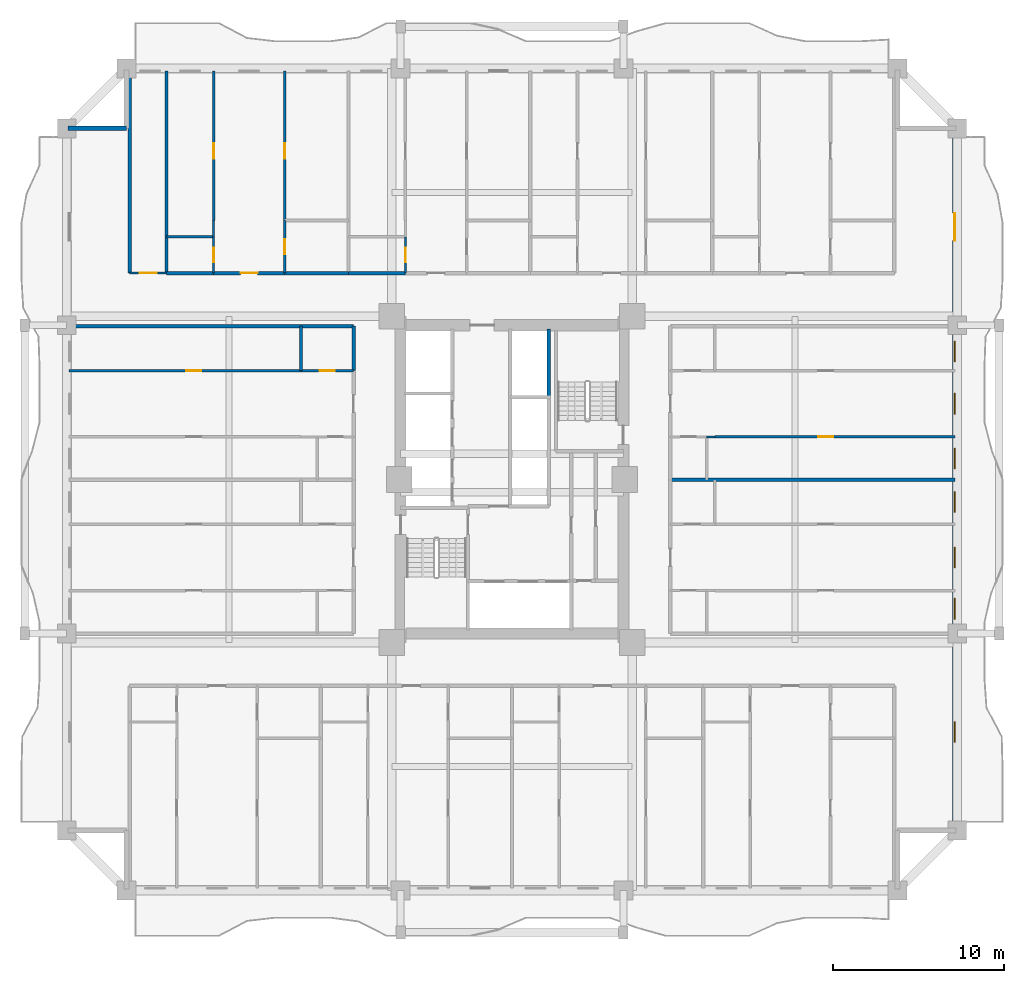
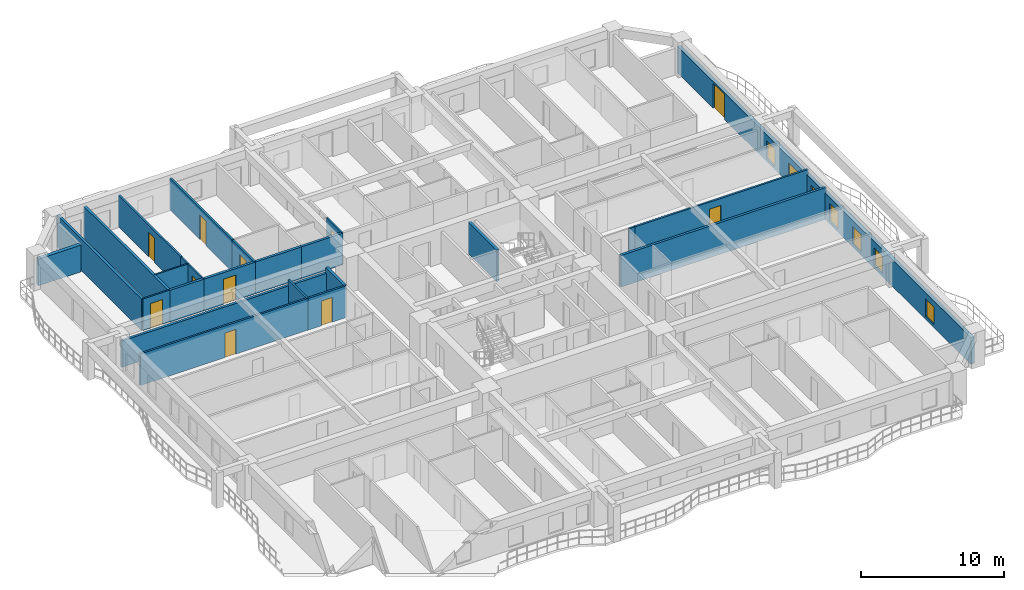
# One storey, part 6 of 15: 25 walls, 11 doors, 7 windows, 18 openings.
"""IFC4 building model written with IfcOpenShell, lengths in metres."""

from ifc_helpers import new_model, si_unit, direction, frame, frame_2d, origin, place, context, subcontext, project, spatial, rectangle, extrude, source, transform, mapped, material, layer, layer_set, type_object, element, fill, save


model = new_model("IFC4")

# Units and contexts
model_context = context("Model", 3, precision=1e-05, world=origin(), true_north=direction((0.0, 1.0)))
body_context = subcontext(model_context, "Body", "Model", "MODEL_VIEW")
ifc_project = project(units=[si_unit("LENGTHUNIT", "METRE"), si_unit("AREAUNIT", "SQUARE_METRE"), si_unit("VOLUMEUNIT", "CUBIC_METRE"), si_unit("PLANEANGLEUNIT", "RADIAN"), si_unit("MASSUNIT", "GRAM", prefix="KILO")], contexts=[model_context])

# Site, building, storey
site_placement = place(None, origin())
site = spatial("IfcSite", under=ifc_project, at=site_placement, CompositionType="ELEMENT")
building_placement = place(site_placement, origin())
building = spatial("IfcBuilding", under=site, at=building_placement, Name="Saelheon Loggia Tower", CompositionType="ELEMENT")
storey_placement = place(building_placement, frame((0.0, 0.0, 67.39990234375)))
storey = spatial("IfcBuildingStorey", under=building, at=storey_placement, Name="L21", CompositionType="ELEMENT", Elevation=67.39990234375)

# Wall, openings, windows, door
ifc_material_1 = material(Name="Architectural Precast Concrete C40/50", Category="concrete")
ifc_layer_1 = layer(ifc_material_1, 0.280029296875)
ifc_layer_set_1 = layer_set([ifc_layer_1], Name="Architectural Precast Concrete C40/50")
wall_type_1 = type_object("IfcWallType", Name="Wall_Ext_Loggia_280", PredefinedType="SOLIDWALL", material=ifc_layer_set_1)
wall_1_placement = place(storey_placement, frame((63.860107421875, 6.5, 0.0), z_axis=(0.0, 0.0, 1.0), x_axis=(0.0, 1.0, 0.0)))
wall_1 = element("IfcWall", 1, at=wall_1_placement, inside=storey, type_object=wall_type_1, Name="L21 East Loggia Inner Wall", PredefinedType="SOLIDWALL", context=body_context, shape_type="SweptSolid", body=[
    extrude(rectangle(XDim=41.0, YDim=0.280029296875, at=frame_2d((20.5, 0.0))), origin(), (0.0, 0.0, 1.0), 2.280029296875),
])
opening_1_placement = place(wall_1_placement, frame((5.14990234375, 0.0, 0.25)))
opening_1 = element("IfcOpeningElement", 2, at=opening_1_placement, cuts=wall_1, Name="Opening WN-03", PredefinedType="OPENING", context=body_context, shape_type="SweptSolid", body=[
    extrude(rectangle(XDim=1.199951171875, YDim=1.5, at=frame_2d((0.60009765625, 0.75))), frame((0.0, 0.152099609375, 0.0), z_axis=(0.0, -1.0, 0.0), x_axis=(1.0, 0.0, 0.0)), (0.0, 0.0, 1.0), 0.303955078125),
])
opening_2_placement = place(wall_1_placement, frame((12.3515625, 0.0, 0.25)))
opening_2 = element("IfcOpeningElement", 3, at=opening_2_placement, cuts=wall_1, Name="Opening WN-03", PredefinedType="OPENING", context=body_context, shape_type="SweptSolid", body=[
    extrude(rectangle(XDim=1.199951171875, YDim=1.5, at=frame_2d((0.60009765625, 0.75))), frame((0.0, 0.152099609375, 0.0), z_axis=(0.0, -1.0, 0.0), x_axis=(1.0, 0.0, 0.0)), (0.0, 0.0, 1.0), 0.303955078125),
])
opening_3_placement = place(wall_1_placement, frame((15.343994140625, 0.0, 0.25)))
opening_3 = element("IfcOpeningElement", 4, at=opening_3_placement, cuts=wall_1, Name="Opening WN-03", PredefinedType="OPENING", context=body_context, shape_type="SweptSolid", body=[
    extrude(rectangle(XDim=1.199951171875, YDim=1.5, at=frame_2d((0.60009765625, 0.75))), frame((0.0, 0.152099609375, 0.0), z_axis=(0.0, -1.0, 0.0), x_axis=(1.0, 0.0, 0.0)), (0.0, 0.0, 1.0), 0.303955078125),
])
opening_4_placement = place(wall_1_placement, frame((18.574951171875, 0.0, 0.25)))
opening_4 = element("IfcOpeningElement", 5, at=opening_4_placement, cuts=wall_1, Name="Opening WN-03", PredefinedType="OPENING", context=body_context, shape_type="SweptSolid", body=[
    extrude(rectangle(XDim=1.199951171875, YDim=1.5, at=frame_2d((0.60009765625, 0.75))), frame((0.0, 0.152099609375, 0.0), z_axis=(0.0, -1.0, 0.0), x_axis=(1.0, 0.0, 0.0)), (0.0, 0.0, 1.0), 0.303955078125),
])
opening_5_placement = place(wall_1_placement, frame((21.131591796875, 0.0, 0.25)))
opening_5 = element("IfcOpeningElement", 6, at=opening_5_placement, cuts=wall_1, Name="Opening WN-03", PredefinedType="OPENING", context=body_context, shape_type="SweptSolid", body=[
    extrude(rectangle(XDim=1.199951171875, YDim=1.5, at=frame_2d((0.60009765625, 0.75))), frame((0.0, 0.152099609375, 0.0), z_axis=(0.0, -1.0, 0.0), x_axis=(1.0, 0.0, 0.0)), (0.0, 0.0, 1.0), 0.303955078125),
])
opening_6_placement = place(wall_1_placement, frame((24.319091796875, 0.0, 0.25)))
opening_6 = element("IfcOpeningElement", 7, at=opening_6_placement, cuts=wall_1, Name="Opening WN-03", PredefinedType="OPENING", context=body_context, shape_type="SweptSolid", body=[
    extrude(rectangle(XDim=1.199951171875, YDim=1.5, at=frame_2d((0.60009765625, 0.75))), frame((0.0, 0.152099609375, 0.0), z_axis=(0.0, -1.0, 0.0), x_axis=(1.0, 0.0, 0.0)), (0.0, 0.0, 1.0), 0.303955078125),
])
opening_7_placement = place(wall_1_placement, frame((27.3798828125, 0.0, 0.25)))
opening_7 = element("IfcOpeningElement", 8, at=opening_7_placement, cuts=wall_1, Name="Opening WN-03", PredefinedType="OPENING", context=body_context, shape_type="SweptSolid", body=[
    extrude(rectangle(XDim=1.199951171875, YDim=1.5, at=frame_2d((0.60009765625, 0.75))), frame((0.0, 0.152099609375, 0.0), z_axis=(0.0, -1.0, 0.0), x_axis=(1.0, 0.0, 0.0)), (0.0, 0.0, 1.0), 0.303955078125),
])
opening_8_placement = place(wall_1_placement, frame((36.050048828125, 0.0, 0.0), z_axis=(0.0, 0.0, 1.0), x_axis=(-1.0, 0.0, 0.0)))
opening_8 = element("IfcOpeningElement", 9, at=opening_8_placement, cuts=wall_1, Name="Opening DLG-1", PredefinedType="OPENING", context=body_context, shape_type="SweptSolid", body=[
    extrude(rectangle(XDim=1.60009765625, YDim=2.14990234375, at=frame_2d((0.800048828125, 1.074951171875))), frame((0.0, 0.152099609375, 0.0), z_axis=(0.0, -1.0, 0.0), x_axis=(1.0, 0.0, 0.0)), (0.0, 0.0, 1.0), 0.303955078125),
])
ifc_material_2 = material(Name="Thermal-Break Aluminium and Triple Low-E Glass", Category="aluminium")
window_type = type_object("IfcWindowType", Name="Win_Bedroom_1200x1500", PartitioningType="SINGLE_PANEL", PredefinedType="WINDOW", material=ifc_material_2)
shared_shape_1 = source(origin(), body_context, "Body", "SweptSolid", [
    extrude(rectangle(XDim=1.199951171875, YDim=1.5, at=frame_2d((0.60009765625, 0.75))), frame((0.0, 0.030029296875, 0.0), z_axis=(0.0, -1.0, 0.0), x_axis=(1.0, 0.0, 0.0)), (0.0, 0.0, 1.0), 0.06005859375),
])
window_1_placement = place(opening_1_placement, origin())
window_1 = element("IfcWindow", 10, at=window_1_placement, inside=storey, type_object=window_type, Name="L21 E Dwelling Window 1", OverallHeight=1.5, OverallWidth=1.199951171875, PartitioningType="SINGLE_PANEL", PredefinedType="WINDOW", context=body_context, shape_type="MappedRepresentation", body=[
    mapped(shared_shape_1, transform((0.0, 0.0, 0.0), scale=1.0)),
])
fill(opening_1, window_1)
window_2_placement = place(opening_2_placement, origin())
window_2 = element("IfcWindow", 11, at=window_2_placement, inside=storey, type_object=window_type, Name="L21 E Dwelling Window 2", OverallHeight=1.5, OverallWidth=1.199951171875, PartitioningType="SINGLE_PANEL", PredefinedType="WINDOW", context=body_context, shape_type="MappedRepresentation", body=[
    mapped(shared_shape_1, transform((0.0, 0.0, 0.0), scale=1.0)),
])
fill(opening_2, window_2)
window_3_placement = place(opening_3_placement, origin())
window_3 = element("IfcWindow", 12, at=window_3_placement, inside=storey, type_object=window_type, Name="L21 E Dwelling Window 3", OverallHeight=1.5, OverallWidth=1.199951171875, PartitioningType="SINGLE_PANEL", PredefinedType="WINDOW", context=body_context, shape_type="MappedRepresentation", body=[
    mapped(shared_shape_1, transform((0.0, 0.0, 0.0), scale=1.0)),
])
fill(opening_3, window_3)
window_4_placement = place(opening_4_placement, origin())
window_4 = element("IfcWindow", 13, at=window_4_placement, inside=storey, type_object=window_type, Name="L21 E Dwelling Window 4", OverallHeight=1.5, OverallWidth=1.199951171875, PartitioningType="SINGLE_PANEL", PredefinedType="WINDOW", context=body_context, shape_type="MappedRepresentation", body=[
    mapped(shared_shape_1, transform((0.0, 0.0, 0.0), scale=1.0)),
])
fill(opening_4, window_4)
window_5_placement = place(opening_5_placement, origin())
window_5 = element("IfcWindow", 14, at=window_5_placement, inside=storey, type_object=window_type, Name="L21 E Dwelling Window 5", OverallHeight=1.5, OverallWidth=1.199951171875, PartitioningType="SINGLE_PANEL", PredefinedType="WINDOW", context=body_context, shape_type="MappedRepresentation", body=[
    mapped(shared_shape_1, transform((0.0, 0.0, 0.0), scale=1.0)),
])
fill(opening_5, window_5)
window_6_placement = place(opening_6_placement, origin())
window_6 = element("IfcWindow", 15, at=window_6_placement, inside=storey, type_object=window_type, Name="L21 E Dwelling Window 6", OverallHeight=1.5, OverallWidth=1.199951171875, PartitioningType="SINGLE_PANEL", PredefinedType="WINDOW", context=body_context, shape_type="MappedRepresentation", body=[
    mapped(shared_shape_1, transform((0.0, 0.0, 0.0), scale=1.0)),
])
fill(opening_6, window_6)
window_7_placement = place(opening_7_placement, origin())
window_7 = element("IfcWindow", 16, at=window_7_placement, inside=storey, type_object=window_type, Name="L21 E Dwelling Window 7", OverallHeight=1.5, OverallWidth=1.199951171875, PartitioningType="SINGLE_PANEL", PredefinedType="WINDOW", context=body_context, shape_type="MappedRepresentation", body=[
    mapped(shared_shape_1, transform((0.0, 0.0, 0.0), scale=1.0)),
])
fill(opening_7, window_7)
ifc_material_3 = material(Name="Thermal-Break Aluminium Sliding Glazed Door", Category="aluminium")
door_type_1 = type_object("IfcDoorType", Name="Door_LoggiaSlide_1600", OperationType="SLIDING_TO_LEFT", PredefinedType="DOOR", material=ifc_material_3)
shared_shape_2 = source(origin(), body_context, "Body", "SweptSolid", [
    extrude(rectangle(XDim=1.60009765625, YDim=2.14990234375, at=frame_2d((0.800048828125, 1.074951171875))), frame((0.0, 0.02490234375, 0.0), z_axis=(0.0, -1.0, 0.0), x_axis=(1.0, 0.0, 0.0)), (0.0, 0.0, 1.0), 0.050048828125),
])
door_1_placement = place(opening_8_placement, origin())
door_1 = element("IfcDoor", 17, at=door_1_placement, inside=storey, type_object=door_type_1, Name="L21 E Loggia Access Door", OperationType="SLIDING_TO_LEFT", OverallHeight=2.14990234375, OverallWidth=1.60009765625, PredefinedType="DOOR", context=body_context, shape_type="MappedRepresentation", body=[
    mapped(shared_shape_2, transform((0.0, 0.0, 0.0), scale=1.0)),
])
fill(opening_8, door_1)

# Wall
wall_2_placement = place(storey_placement, frame((12.080078125, 47.5, 0.0), z_axis=(0.0, 0.0, 1.0), x_axis=(1.0, 0.0, 0.0)))
element("IfcWall", 18, at=wall_2_placement, inside=storey, type_object=wall_type_1, Name="L21 Corner Notch Precast Wall NW2", PredefinedType="SOLIDWALL", context=body_context, shape_type="SweptSolid", body=[
    extrude(rectangle(XDim=3.419921875, YDim=0.280029296875, at=frame_2d((1.7099609375, 0.0))), origin(), (0.0, 0.0, 1.0), 2.280029296875),
])

# Wall, opening, door
ifc_material_4 = material(Name="Lightweight Autoclaved Aerated Concrete Block and Acoustic Gypsum", Category="concrete")
ifc_layer_2 = layer(ifc_material_4, 0.14990234375)
ifc_layer_set_2 = layer_set([ifc_layer_2], Name="Lightweight Autoclaved Aerated Concrete Block and Acoustic Gypsum")
wall_type_2 = type_object("IfcWallType", Name="Wall_Part_150", PredefinedType="PARTITIONING", material=ifc_layer_set_2)
wall_3_placement = place(storey_placement, frame((20.580078125, 42.1201171875, 0.0), z_axis=(0.0, 0.0, 1.0), x_axis=(0.0, 1.0, 0.0)))
wall_3 = element("IfcWall", 19, at=wall_3_placement, inside=storey, type_object=wall_type_2, Name="L21 N Partition U12", PredefinedType="PARTITIONING", context=body_context, shape_type="SweptSolid", body=[
    extrude(rectangle(XDim=8.72998046875, YDim=0.14990234375, at=frame_2d((4.364990234375, 0.0))), origin(), (0.0, 0.0, 1.0), 2.7001953125),
])
opening_9_placement = place(wall_3_placement, frame((3.60888671875, 0.0, 0.0)))
opening_9 = element("IfcOpeningElement", 20, at=opening_9_placement, cuts=wall_3, Name="Opening D-IN2", PredefinedType="OPENING", context=body_context, shape_type="SweptSolid", body=[
    extrude(rectangle(XDim=0.89990234375, YDim=2.10009765625, at=frame_2d((0.449951171875, 1.050048828125))), frame((0.0, 0.0869140625, 0.0), z_axis=(0.0, -1.0, 0.0), x_axis=(1.0, 0.0, 0.0)), (0.0, 0.0, 1.0), 0.173828125),
])
ifc_material_5 = material(Name="Engineered Oak Flush Door", Category="timber")
door_type_2 = type_object("IfcDoorType", Name="Door_Int_900", OperationType="NOTDEFINED", PredefinedType="DOOR", material=ifc_material_5)
shared_shape_3 = source(origin(), body_context, "Body", "SweptSolid", [
    extrude(rectangle(XDim=0.89990234375, YDim=2.10009765625, at=frame_2d((0.449951171875, 1.050048828125))), frame((0.0, 0.02490234375, 0.0), z_axis=(0.0, -1.0, 0.0), x_axis=(1.0, 0.0, 0.0)), (0.0, 0.0, 1.0), 0.050048828125),
])
door_2_placement = place(opening_9_placement, origin())
door_2 = element("IfcDoor", 21, at=door_2_placement, inside=storey, type_object=door_type_2, Name="Unit U05 Kitchen Door", OperationType="SINGLE_SWING_LEFT", OverallHeight=2.10009765625, OverallWidth=0.89990234375, PredefinedType="DOOR", context=body_context, shape_type="MappedRepresentation", body=[
    mapped(shared_shape_3, transform((0.0, 0.0, 0.0), scale=1.0)),
])
fill(opening_9, door_2)

wall_4_placement = place(storey_placement, frame((24.729736328125, 39.050048828125, 0.0), z_axis=(0.0, 0.0, 1.0), x_axis=(0.0, 1.0, 0.0)))
wall_4 = element("IfcWall", 22, at=wall_4_placement, inside=storey, type_object=wall_type_2, Name="L21 N Partition U13", PredefinedType="PARTITIONING", context=body_context, shape_type="SweptSolid", body=[
    extrude(rectangle(XDim=3.070068359375, YDim=0.14990234375, at=frame_2d((1.53515625, 0.0))), origin(), (0.0, 0.0, 1.0), 2.7001953125),
])
opening_10_placement = place(wall_4_placement, frame((1.0849609375, 0.0, 0.0)))
opening_10 = element("IfcOpeningElement", 23, at=opening_10_placement, cuts=wall_4, Name="Opening D-IN2", PredefinedType="OPENING", context=body_context, shape_type="SweptSolid", body=[
    extrude(rectangle(XDim=0.89990234375, YDim=2.10009765625, at=frame_2d((0.449951171875, 1.050048828125))), frame((0.0, 0.0869140625, 0.0), z_axis=(0.0, -1.0, 0.0), x_axis=(1.0, 0.0, 0.0)), (0.0, 0.0, 1.0), 0.173828125),
])
door_3_placement = place(opening_10_placement, origin())
door_3 = element("IfcDoor", 24, at=door_3_placement, inside=storey, type_object=door_type_2, Name="Unit U05 Dressing Closet Door", OperationType="SINGLE_SWING_RIGHT", OverallHeight=2.10009765625, OverallWidth=0.89990234375, PredefinedType="DOOR", context=body_context, shape_type="MappedRepresentation", body=[
    mapped(shared_shape_3, transform((0.0, 0.0, 0.0), scale=1.0)),
])
fill(opening_10, door_3)

wall_5_placement = place(storey_placement, frame((24.729736328125, 42.1201171875, 0.0), z_axis=(0.0, 0.0, 1.0), x_axis=(0.0, 1.0, 0.0)))
wall_5 = element("IfcWall", 25, at=wall_5_placement, inside=storey, type_object=wall_type_2, Name="L21 N Partition U14", PredefinedType="PARTITIONING", context=body_context, shape_type="SweptSolid", body=[
    extrude(rectangle(XDim=8.72998046875, YDim=0.14990234375, at=frame_2d((4.364990234375, 0.0))), origin(), (0.0, 0.0, 1.0), 2.7001953125),
])
opening_11_placement = place(wall_5_placement, frame((3.60888671875, 0.0, 0.0)))
opening_11 = element("IfcOpeningElement", 26, at=opening_11_placement, cuts=wall_5, Name="Opening D-IN2", PredefinedType="OPENING", context=body_context, shape_type="SweptSolid", body=[
    extrude(rectangle(XDim=0.89990234375, YDim=2.10009765625, at=frame_2d((0.449951171875, 1.050048828125))), frame((0.0, 0.0869140625, 0.0), z_axis=(0.0, -1.0, 0.0), x_axis=(1.0, 0.0, 0.0)), (0.0, 0.0, 1.0), 0.173828125),
])
door_4_placement = place(opening_11_placement, origin())
door_4 = element("IfcDoor", 27, at=door_4_placement, inside=storey, type_object=door_type_2, Name="Unit U05 Bedroom 1 Door", OperationType="SINGLE_SWING_LEFT", OverallHeight=2.10009765625, OverallWidth=0.89990234375, PredefinedType="DOOR", context=body_context, shape_type="MappedRepresentation", body=[
    mapped(shared_shape_3, transform((0.0, 0.0, 0.0), scale=1.0)),
])
fill(opening_11, door_4)

# Wall
wall_6_placement = place(storey_placement, frame((25.679931640625, 33.35009765625, 0.0), z_axis=(0.0, 0.0, 1.0), x_axis=(0.0, 1.0, 0.0)))
element("IfcWall", 28, at=wall_6_placement, inside=storey, type_object=wall_type_2, Name="L21 W Partition V18", PredefinedType="PARTITIONING", context=body_context, shape_type="SweptSolid", body=[
    extrude(rectangle(XDim=2.599853515625, YDim=0.14990234375, at=frame_2d((1.2998046875, 0.0))), origin(), (0.0, 0.0, 1.0), 2.7001953125),
])

# Wall, opening, door
wall_7_placement = place(storey_placement, frame((28.75, 33.35009765625, 0.0), z_axis=(0.0, 0.0, 1.0), x_axis=(-1.0, 0.0, 0.0)))
wall_7 = element("IfcWall", 29, at=wall_7_placement, inside=storey, type_object=wall_type_2, Name="L21 W Partition U22", PredefinedType="PARTITIONING", context=body_context, shape_type="SweptSolid", body=[
    extrude(rectangle(XDim=3.070068359375, YDim=0.14990234375, at=frame_2d((1.53515625, 0.0))), origin(), (0.0, 0.0, 1.0), 2.7001953125),
])
opening_12_placement = place(wall_7_placement, frame((1.0849609375, 0.0, 0.0)))
opening_12 = element("IfcOpeningElement", 30, at=opening_12_placement, cuts=wall_7, Name="Opening D-IN2", PredefinedType="OPENING", context=body_context, shape_type="SweptSolid", body=[
    extrude(rectangle(XDim=0.89990234375, YDim=2.10009765625, at=frame_2d((0.449951171875, 1.050048828125))), frame((0.0, 0.0869140625, 0.0), z_axis=(0.0, -1.0, 0.0), x_axis=(1.0, 0.0, 0.0)), (0.0, 0.0, 1.0), 0.173828125),
])
door_5_placement = place(opening_12_placement, origin())
door_5 = element("IfcDoor", 31, at=door_5_placement, inside=storey, type_object=door_type_2, Name="Unit U10 Dressing Closet Door", OperationType="SINGLE_SWING_LEFT", OverallHeight=2.10009765625, OverallWidth=0.89990234375, PredefinedType="DOOR", context=body_context, shape_type="MappedRepresentation", body=[
    mapped(shared_shape_3, transform((0.0, 0.0, 0.0), scale=1.0)),
])
fill(opening_12, door_5)

wall_8_placement = place(storey_placement, frame((25.679931640625, 33.35009765625, 0.0), z_axis=(0.0, 0.0, 1.0), x_axis=(-1.0, 0.0, 0.0)))
wall_8 = element("IfcWall", 32, at=wall_8_placement, inside=storey, type_object=wall_type_2, Name="L21 W Partition U23", PredefinedType="PARTITIONING", context=body_context, shape_type="SweptSolid", body=[
    extrude(rectangle(XDim=13.530029296875, YDim=0.14990234375, at=frame_2d((6.76513671875, 0.0))), origin(), (0.0, 0.0, 1.0), 2.7001953125),
])
opening_13_placement = place(wall_8_placement, frame((5.80859375, 0.0, 0.0)))
opening_13 = element("IfcOpeningElement", 33, at=opening_13_placement, cuts=wall_8, Name="Opening D-IN2", PredefinedType="OPENING", context=body_context, shape_type="SweptSolid", body=[
    extrude(rectangle(XDim=0.89990234375, YDim=2.10009765625, at=frame_2d((0.449951171875, 1.050048828125))), frame((0.0, 0.0869140625, 0.0), z_axis=(0.0, -1.0, 0.0), x_axis=(1.0, 0.0, 0.0)), (0.0, 0.0, 1.0), 0.173828125),
])
door_6_placement = place(opening_13_placement, origin())
door_6 = element("IfcDoor", 34, at=door_6_placement, inside=storey, type_object=door_type_2, Name="Unit U10 Bedroom 1 Door", OperationType="SINGLE_SWING_RIGHT", OverallHeight=2.10009765625, OverallWidth=0.89990234375, PredefinedType="DOOR", context=body_context, shape_type="MappedRepresentation", body=[
    mapped(shared_shape_3, transform((0.0, 0.0, 0.0), scale=1.0)),
])
fill(opening_13, door_6)

wall_9_placement = place(storey_placement, frame((49.840087890625, 29.488037109375, 0.0), z_axis=(0.0, 0.0, 1.0), x_axis=(1.0, 0.0, 0.0)))
wall_9 = element("IfcWall", 35, at=wall_9_placement, inside=storey, type_object=wall_type_2, Name="L21 E Partition U21", PredefinedType="PARTITIONING", context=body_context, shape_type="SweptSolid", body=[
    extrude(rectangle(XDim=14.010009765625, YDim=0.14990234375, at=frame_2d((7.0048828125, 0.0))), origin(), (0.0, 0.0, 1.0), 2.7001953125),
])
opening_14_placement = place(wall_9_placement, frame((6.02880859375, 0.0, 0.0)))
opening_14 = element("IfcOpeningElement", 36, at=opening_14_placement, cuts=wall_9, Name="Opening D-IN2", PredefinedType="OPENING", context=body_context, shape_type="SweptSolid", body=[
    extrude(rectangle(XDim=0.89990234375, YDim=2.10009765625, at=frame_2d((0.449951171875, 1.050048828125))), frame((0.0, 0.0869140625, 0.0), z_axis=(0.0, -1.0, 0.0), x_axis=(1.0, 0.0, 0.0)), (0.0, 0.0, 1.0), 0.173828125),
])
door_7_placement = place(opening_14_placement, origin())
door_7 = element("IfcDoor", 37, at=door_7_placement, inside=storey, type_object=door_type_2, Name="Unit U12 Kitchen Door", OperationType="SINGLE_SWING_RIGHT", OverallHeight=2.10009765625, OverallWidth=0.89990234375, PredefinedType="DOOR", context=body_context, shape_type="MappedRepresentation", body=[
    mapped(shared_shape_3, transform((0.0, 0.0, 0.0), scale=1.0)),
])
fill(opening_14, door_7)

# Walls
ifc_material_6 = material(Name="Double Acoustic Stud and Fireboard Partition", Category="gypsum")
ifc_layer_3 = layer(ifc_material_6, 0.199951171875)
ifc_layer_set_3 = layer_set([ifc_layer_3], Name="Double Acoustic Stud and Fireboard Partition")
wall_type_3 = type_object("IfcWallType", Name="Wall_Party_200", PredefinedType="PARTITIONING", material=ifc_layer_set_3)
for number, where, z_axis, x_axis, name in (
    (38, (15.679931640625, 39.050048828125, 0.0), (0.0, 0.0, 1.0), (0.0, 1.0, 0.0), "L21 N Partition U01"),
    (39, (17.830078125, 39.050048828125, 0.0), (0.0, 0.0, 1.0), (0.0, 1.0, 0.0), "L21 N Partition U03"),
):
    element("IfcWall", number, at=place(storey_placement, frame(where, z_axis=z_axis, x_axis=x_axis)), inside=storey, type_object=wall_type_3, Name=name, PredefinedType="PARTITIONING", context=body_context, shape_type="SweptSolid", body=[
        extrude(rectangle(XDim=11.800048828125, YDim=0.199951171875, at=frame_2d((5.89990234375, 0.0))), origin(), (0.0, 0.0, 1.0), 2.7001953125),
    ])
wall_10_placement = place(storey_placement, frame((17.830078125, 39.050048828125, 0.0), z_axis=(0.0, 0.0, 1.0), x_axis=(1.0, 0.0, 0.0)))
element("IfcWall", 40, at=wall_10_placement, inside=storey, type_object=wall_type_3, Name="L21 N Partition V05", PredefinedType="PARTITIONING", context=body_context, shape_type="SweptSolid", body=[
    extrude(rectangle(XDim=2.75, YDim=0.199951171875, at=frame_2d((1.375, 0.0))), origin(), (0.0, 0.0, 1.0), 2.7001953125),
])

# Wall, opening, door
wall_11_placement = place(storey_placement, frame((20.580078125, 39.050048828125, 0.0), z_axis=(0.0, 0.0, 1.0), x_axis=(1.0, 0.0, 0.0)))
wall_11 = element("IfcWall", 41, at=wall_11_placement, inside=storey, type_object=wall_type_3, Name="L21 N Partition V06", PredefinedType="PARTITIONING", context=body_context, shape_type="SweptSolid", body=[
    extrude(rectangle(XDim=4.149658203125, YDim=0.199951171875, at=frame_2d((2.07470703125, 0.0))), origin(), (0.0, 0.0, 1.0), 2.7001953125),
])
opening_15_placement = place(wall_11_placement, frame((1.574951171875, 0.0, 0.0)))
opening_15 = element("IfcOpeningElement", 42, at=opening_15_placement, cuts=wall_11, Name="Opening D-FD1", PredefinedType="OPENING", context=body_context, shape_type="SweptSolid", body=[
    extrude(rectangle(XDim=1.0, YDim=2.14990234375, at=frame_2d((0.5, 1.074951171875))), frame((0.0, 0.112060546875, 0.0), z_axis=(0.0, -1.0, 0.0), x_axis=(1.0, 0.0, 0.0)), (0.0, 0.0, 1.0), 0.223876953125),
])
ifc_material_7 = material(Name="Fire-Rated Engineered Timber Entrance Door", Category="wood")
door_type_3 = type_object("IfcDoorType", Name="Door_Flat_FD30S", OperationType="NOTDEFINED", PredefinedType="DOOR", material=ifc_material_7)
shared_shape_4 = source(origin(), body_context, "Body", "SweptSolid", [
    extrude(rectangle(XDim=1.0, YDim=2.14990234375, at=frame_2d((0.5, 1.074951171875))), frame((0.0, 0.02490234375, 0.0), z_axis=(0.0, -1.0, 0.0), x_axis=(1.0, 0.0, 0.0)), (0.0, 0.0, 1.0), 0.050048828125),
])
door_8_placement = place(opening_15_placement, origin())
door_8 = element("IfcDoor", 43, at=door_8_placement, inside=storey, type_object=door_type_3, Name="Unit U05 Entrance Door", OperationType="SINGLE_SWING_LEFT", OverallHeight=2.14990234375, OverallWidth=1.0, PredefinedType="DOOR", context=body_context, shape_type="MappedRepresentation", body=[
    mapped(shared_shape_4, transform((0.0, 0.0, 0.0), scale=1.0)),
])
fill(opening_15, door_8)

# Walls
wall_12_placement = place(storey_placement, frame((24.729736328125, 39.050048828125, 0.0), z_axis=(0.0, 0.0, 1.0), x_axis=(1.0, 0.0, 0.0)))
element("IfcWall", 44, at=wall_12_placement, inside=storey, type_object=wall_type_3, Name="L21 N Partition V07", PredefinedType="PARTITIONING", context=body_context, shape_type="SweptSolid", body=[
    extrude(rectangle(XDim=3.72265625, YDim=0.199951171875, at=frame_2d((1.861328125, 0.0))), origin(), (0.0, 0.0, 1.0), 2.7001953125),
])
wall_13_placement = place(storey_placement, frame((28.452392578125, 39.050048828125, 0.0), z_axis=(0.0, 0.0, 1.0), x_axis=(1.0, 0.0, 0.0)))
element("IfcWall", 45, at=wall_13_placement, inside=storey, type_object=wall_type_3, Name="L21 N Partition V16", PredefinedType="PARTITIONING", context=body_context, shape_type="SweptSolid", body=[
    extrude(rectangle(XDim=3.32763671875, YDim=0.199951171875, at=frame_2d((1.663818359375, 0.0))), origin(), (0.0, 0.0, 1.0), 2.7001953125),
])
wall_14_placement = place(storey_placement, frame((28.75, 35.949951171875, 0.0), z_axis=(0.0, 0.0, 1.0), x_axis=(-1.0, 0.0, 0.0)))
element("IfcWall", 46, at=wall_14_placement, inside=storey, type_object=wall_type_3, Name="L21 W Partition U02", PredefinedType="PARTITIONING", context=body_context, shape_type="SweptSolid", body=[
    extrude(rectangle(XDim=16.60009765625, YDim=0.199951171875, at=frame_2d((8.300048828125, 0.0))), origin(), (0.0, 0.0, 1.0), 2.239990234375),
])
wall_15_placement = place(storey_placement, frame((28.75, 33.35009765625, 0.0), z_axis=(0.0, 0.0, 1.0), x_axis=(0.0, 1.0, 0.0)))
element("IfcWall", 47, at=wall_15_placement, inside=storey, type_object=wall_type_3, Name="L21 W Partition V16", PredefinedType="PARTITIONING", context=body_context, shape_type="SweptSolid", body=[
    extrude(rectangle(XDim=2.599853515625, YDim=0.199951171875, at=frame_2d((1.2998046875, 0.0))), origin(), (0.0, 0.0, 1.0), 2.7001953125),
])
wall_16_placement = place(storey_placement, frame((47.25, 26.97509765625, 0.0), z_axis=(0.0, 0.0, 1.0), x_axis=(1.0, 0.0, 0.0)))
element("IfcWall", 48, at=wall_16_placement, inside=storey, type_object=wall_type_3, Name="L21 E Partition U13", PredefinedType="PARTITIONING", context=body_context, shape_type="SweptSolid", body=[
    extrude(rectangle(XDim=16.60009765625, YDim=0.199951171875, at=frame_2d((8.300048828125, 0.0))), origin(), (0.0, 0.0, 1.0), 2.7001953125),
])
ifc_material_8 = material(Name="Concrete C40/50", Category="concrete")
ifc_layer_4 = layer(ifc_material_8, 0.199951171875)
ifc_layer_set_4 = layer_set([ifc_layer_4], Name="Concrete C40/50")
wall_type_4 = type_object("IfcWallType", Name="Wall_Shaft_200", PredefinedType="PARTITIONING", material=ifc_layer_set_4)
wall_17_placement = place(storey_placement, frame((40.14990234375, 31.800048828125, 0.0), z_axis=(0.0, 0.0, 1.0), x_axis=(0.0, 1.0, 0.0)))
element("IfcWall", 49, at=wall_17_placement, inside=storey, type_object=wall_type_4, Name="L21 East High-Rise Hoistway East Wall", PredefinedType="PARTITIONING", context=body_context, shape_type="SweptSolid", body=[
    extrude(rectangle(XDim=3.97998046875, YDim=0.199951171875, at=frame_2d((1.989990234375, 0.0))), origin(), (0.0, 0.0, 1.0), 2.7001953125),
])

# Wall, opening, door
ifc_material_9 = material(Name="Moisture-Resistant Cement Board Partition", Category="gypsum")
ifc_layer_5 = layer(ifc_material_9, 0.1201171875)
ifc_layer_set_5 = layer_set([ifc_layer_5], Name="Moisture-Resistant Cement Board Partition")
wall_type_5 = type_object("IfcWallType", Name="Wall_WetPart_120", PredefinedType="PARTITIONING", material=ifc_layer_set_5)
wall_18_placement = place(storey_placement, frame((15.679931640625, 39.050048828125, 0.0), z_axis=(0.0, 0.0, 1.0), x_axis=(1.0, 0.0, 0.0)))
wall_18 = element("IfcWall", 50, at=wall_18_placement, inside=storey, type_object=wall_type_5, Name="L21 N Partition V04", PredefinedType="PARTITIONING", context=body_context, shape_type="SweptSolid", body=[
    extrude(rectangle(XDim=2.150146484375, YDim=0.1201171875, at=frame_2d((1.0751953125, 0.0))), origin(), (0.0, 0.0, 1.0), 2.7001953125),
])
opening_16_placement = place(wall_18_placement, frame((0.574951171875, 0.0, 0.0)))
opening_16 = element("IfcOpeningElement", 51, at=opening_16_placement, cuts=wall_18, Name="Opening D-AC1", PredefinedType="OPENING", context=body_context, shape_type="SweptSolid", body=[
    extrude(rectangle(XDim=1.0, YDim=2.10009765625, at=frame_2d((0.5, 1.050048828125))), frame((0.0, 0.072021484375, 0.0), z_axis=(0.0, -1.0, 0.0), x_axis=(1.0, 0.0, 0.0)), (0.0, 0.0, 1.0), 0.14404296875),
])
ifc_material_10 = material(Name="Accessible Laminate Flush Door", Category="timber")
door_type_4 = type_object("IfcDoorType", Name="Door_Acc_1000", OperationType="NOTDEFINED", PredefinedType="DOOR", material=ifc_material_10)
shared_shape_5 = source(origin(), body_context, "Body", "SweptSolid", [
    extrude(rectangle(XDim=1.0, YDim=2.10009765625, at=frame_2d((0.5, 1.050048828125))), frame((0.0, 0.02490234375, 0.0), z_axis=(0.0, -1.0, 0.0), x_axis=(1.0, 0.0, 0.0)), (0.0, 0.0, 1.0), 0.050048828125),
])
door_9_placement = place(opening_16_placement, origin())
door_9 = element("IfcDoor", 52, at=door_9_placement, inside=storey, type_object=door_type_4, Name="L21 Floor Accessible WC Door", OperationType="SINGLE_SWING_RIGHT", OverallHeight=2.10009765625, OverallWidth=1.0, PredefinedType="DOOR", context=body_context, shape_type="MappedRepresentation", body=[
    mapped(shared_shape_5, transform((0.0, 0.0, 0.0), scale=1.0)),
])
fill(opening_16, door_9)

# Wall
wall_19_placement = place(storey_placement, frame((17.830078125, 41.169921875, 0.0), z_axis=(0.0, 0.0, 1.0), x_axis=(1.0, 0.0, 0.0)))
element("IfcWall", 53, at=wall_19_placement, inside=storey, type_object=wall_type_5, Name="L21 N Partition V08", PredefinedType="PARTITIONING", context=body_context, shape_type="SweptSolid", body=[
    extrude(rectangle(XDim=2.75, YDim=0.1201171875, at=frame_2d((1.375, 0.0))), origin(), (0.0, 0.0, 1.0), 2.7001953125),
])

# Wall, opening, door
wall_20_placement = place(storey_placement, frame((20.580078125, 39.050048828125, 0.0), z_axis=(0.0, 0.0, 1.0), x_axis=(0.0, 1.0, 0.0)))
wall_20 = element("IfcWall", 54, at=wall_20_placement, inside=storey, type_object=wall_type_5, Name="L21 N Partition U10", PredefinedType="PARTITIONING", context=body_context, shape_type="SweptSolid", body=[
    extrude(rectangle(XDim=2.119873046875, YDim=0.1201171875, at=frame_2d((1.06005859375, 0.0))), origin(), (0.0, 0.0, 1.0), 2.7001953125),
])
opening_17_placement = place(wall_20_placement, frame((0.635009765625, 0.0, 0.0)))
opening_17 = element("IfcOpeningElement", 55, at=opening_17_placement, cuts=wall_20, Name="Opening D-BT1", PredefinedType="OPENING", context=body_context, shape_type="SweptSolid", body=[
    extrude(rectangle(XDim=0.85009765625, YDim=2.050048828125, at=frame_2d((0.425048828125, 1.02490234375))), frame((0.0, 0.072021484375, 0.0), z_axis=(0.0, -1.0, 0.0), x_axis=(1.0, 0.0, 0.0)), (0.0, 0.0, 1.0), 0.14404296875),
])
ifc_material_11 = material(Name="Moisture-Resistant Laminate Timber Door", Category="wood")
door_type_5 = type_object("IfcDoorType", Name="Door_Bath_850", OperationType="NOTDEFINED", PredefinedType="DOOR", material=ifc_material_11)
shared_shape_6 = source(origin(), body_context, "Body", "SweptSolid", [
    extrude(rectangle(XDim=0.85009765625, YDim=2.050048828125, at=frame_2d((0.425048828125, 1.02490234375))), frame((0.0, 0.02490234375, 0.0), z_axis=(0.0, -1.0, 0.0), x_axis=(1.0, 0.0, 0.0)), (0.0, 0.0, 1.0), 0.050048828125),
])
door_10_placement = place(opening_17_placement, origin())
door_10 = element("IfcDoor", 56, at=door_10_placement, inside=storey, type_object=door_type_5, Name="Unit U05 Bathroom Door", OperationType="SINGLE_SWING_RIGHT", OverallHeight=2.050048828125, OverallWidth=0.85009765625, PredefinedType="DOOR", context=body_context, shape_type="MappedRepresentation", body=[
    mapped(shared_shape_6, transform((0.0, 0.0, 0.0), scale=1.0)),
])
fill(opening_17, door_10)

# Wall
wall_21_placement = place(storey_placement, frame((20.580078125, 41.169921875, 0.0), z_axis=(0.0, 0.0, 1.0), x_axis=(0.0, 1.0, 0.0)))
element("IfcWall", 57, at=wall_21_placement, inside=storey, type_object=wall_type_5, Name="L21 N Partition U11", PredefinedType="PARTITIONING", context=body_context, shape_type="SweptSolid", body=[
    extrude(rectangle(XDim=0.9501953125, YDim=0.1201171875, at=frame_2d((0.47509765625, 0.0))), origin(), (0.0, 0.0, 1.0), 2.7001953125),
])

# Wall, opening, door
wall_22_placement = place(storey_placement, frame((31.780029296875, 39.050048828125, 0.0), z_axis=(0.0, 0.0, 1.0), x_axis=(0.0, 1.0, 0.0)))
wall_22 = element("IfcWall", 58, at=wall_22_placement, inside=storey, type_object=wall_type_5, Name="L21 N Partition U21", PredefinedType="PARTITIONING", context=body_context, shape_type="SweptSolid", body=[
    extrude(rectangle(XDim=2.119873046875, YDim=0.1201171875, at=frame_2d((1.06005859375, 0.0))), origin(), (0.0, 0.0, 1.0), 2.7001953125),
])
opening_18_placement = place(wall_22_placement, frame((0.635009765625, 0.0, 0.0)))
opening_18 = element("IfcOpeningElement", 59, at=opening_18_placement, cuts=wall_22, Name="Opening D-BT1", PredefinedType="OPENING", context=body_context, shape_type="SweptSolid", body=[
    extrude(rectangle(XDim=0.85009765625, YDim=2.050048828125, at=frame_2d((0.425048828125, 1.02490234375))), frame((0.0, 0.072021484375, 0.0), z_axis=(0.0, -1.0, 0.0), x_axis=(1.0, 0.0, 0.0)), (0.0, 0.0, 1.0), 0.14404296875),
])
door_11_placement = place(opening_18_placement, origin())
door_11 = element("IfcDoor", 60, at=door_11_placement, inside=storey, type_object=door_type_5, Name="Unit U06 Bathroom Door", OperationType="SINGLE_SWING_LEFT", OverallHeight=2.050048828125, OverallWidth=0.85009765625, PredefinedType="DOOR", context=body_context, shape_type="MappedRepresentation", body=[
    mapped(shared_shape_6, transform((0.0, 0.0, 0.0), scale=1.0)),
])
fill(opening_18, door_11)

# Wall
wall_23_placement = place(storey_placement, frame((49.3701171875, 29.488037109375, 0.0), z_axis=(0.0, 0.0, 1.0), x_axis=(1.0, 0.0, 0.0)))
element("IfcWall", 61, at=wall_23_placement, inside=storey, type_object=wall_type_5, Name="L21 E Partition U20", PredefinedType="PARTITIONING", context=body_context, shape_type="SweptSolid", body=[
    extrude(rectangle(XDim=0.469970703125, YDim=0.1201171875, at=frame_2d((0.23486328125, 0.0))), origin(), (0.0, 0.0, 1.0), 2.7001953125),
])

save(model, "model.ifc")
